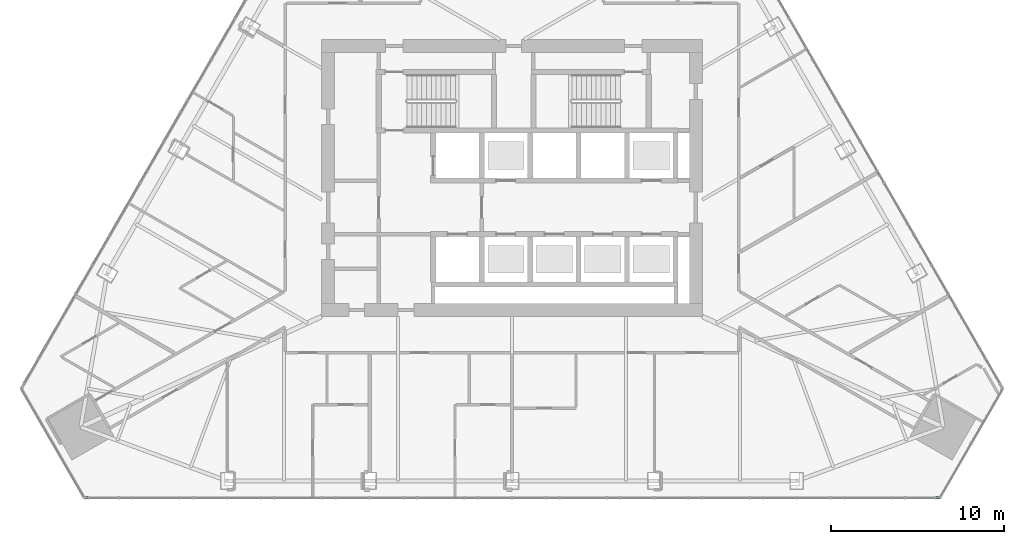
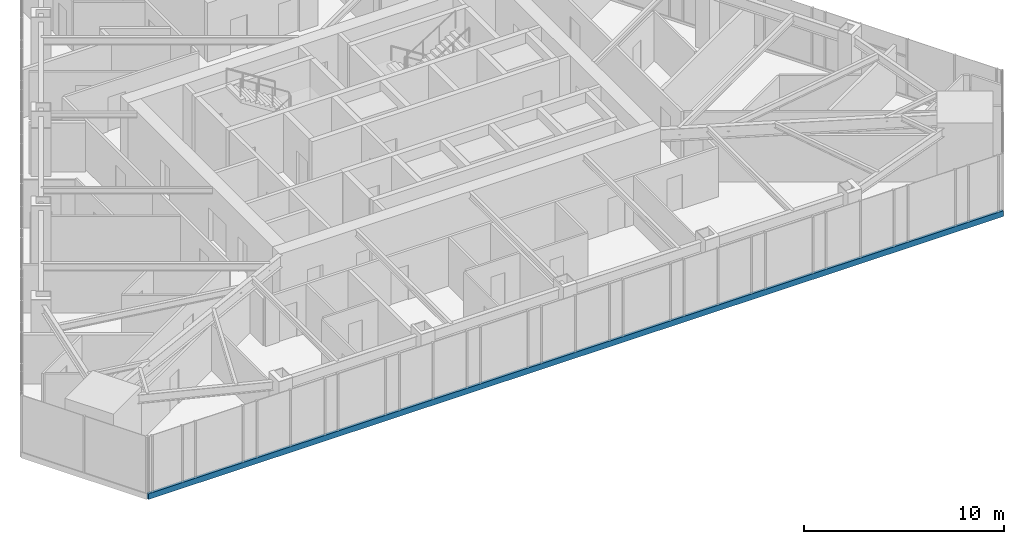
# One storey, part 3 of 24: 1 member, 1 element without a shape of its own.
"""IFC4 building model written with IfcOpenShell, lengths in metres."""

from ifc_helpers import new_model, si_unit, direction, frame, origin, origin_2d, place, context, subcontext, project, spatial, rectangle, extrude, material, layer, layer_set, material_profile, profile_set, type_object, element, aggregate, save


model = new_model("IFC4")

# Units and contexts
model_context = context("Model", 3, precision=1e-05, world=origin(), true_north=direction((0.0, 1.0)))
body_context = subcontext(model_context, "Body", "Model", "MODEL_VIEW")
ifc_project = project(units=[si_unit("LENGTHUNIT", "METRE"), si_unit("AREAUNIT", "SQUARE_METRE"), si_unit("VOLUMEUNIT", "CUBIC_METRE"), si_unit("PLANEANGLEUNIT", "RADIAN"), si_unit("MASSUNIT", "GRAM", prefix="KILO")], contexts=[model_context])

# Site, building, storey
site_placement = place(None, origin())
site = spatial("IfcSite", under=ifc_project, at=site_placement, CompositionType="ELEMENT")
building_placement = place(site_placement, origin())
building = spatial("IfcBuilding", under=site, at=building_placement, Name="Firuza Gate Tower and Library", CompositionType="ELEMENT")
storey_placement = place(building_placement, frame((0.0, 0.0, 237.699951171875)))
storey = spatial("IfcBuildingStorey", under=building, at=storey_placement, Name="L56", CompositionType="ELEMENT", Elevation=237.699951171875)

# Curtain wall, member
ifc_material_1 = material(Name="Aluminium 6063-T6", Category="aluminium")
ifc_layer = layer(ifc_material_1, 0.14990234375)
ifc_layer_set = layer_set([ifc_layer], Name="Unitised curtain wall, hotel")
curtain_wall_type = type_object("IfcCurtainWallType", Name="Unitised curtain wall, hotel", PredefinedType="NOTDEFINED", material=ifc_layer_set)
curtain_wall_placement = place(storey_placement, origin())
curtain_wall = element("IfcCurtainWall", 1, at=curtain_wall_placement, inside=storey, type_object=curtain_wall_type, Name="CW2 L56 S face", PredefinedType="NOTDEFINED")
ifc_material_2 = material(Name="Aluminium 6063-T6", Category="aluminium")
ifc_material_profile = material_profile(ifc_material_2, rectangle(XDim=0.14990234375, YDim=0.35009765625, at=origin_2d()))
ifc_profile_set = profile_set([ifc_material_profile], Name="Aluminium 6063-T6")
member_type = type_object("IfcMemberType", Name="Curtain wall transom 350x150", PredefinedType="USERDEFINED", material=ifc_profile_set)
member_placement = place(storey_placement, frame((50.280029296875, 56.52099609375, -0.02490234375), z_axis=(1.0, 0.0, 0.0), x_axis=(0.0, 1.0, 0.0)))
member = element("IfcMember", 2, at=member_placement, type_object=member_type, Name="Transom", ObjectType="TRANSOM", PredefinedType="USERDEFINED", context=body_context, shape_type="SweptSolid", body=[
    extrude(rectangle(XDim=0.14990234375, YDim=0.35009765625, at=origin_2d()), origin(), (0.0, 0.0, 1.0), 49.43994140625),
])
aggregate(curtain_wall, [member])

save(model, "model.ifc")
